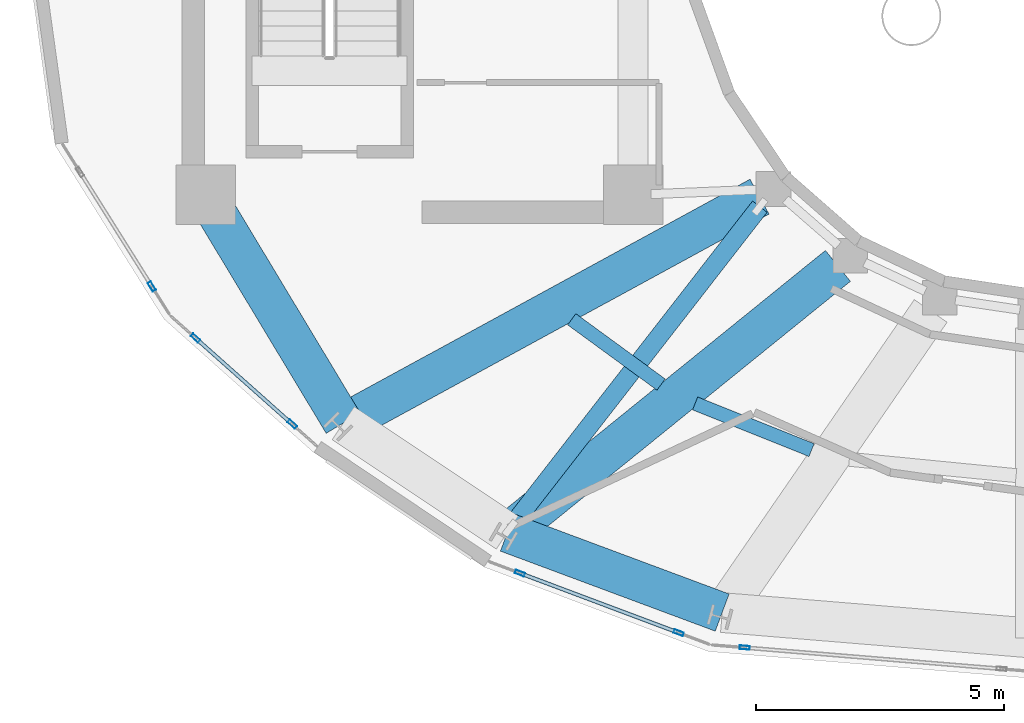
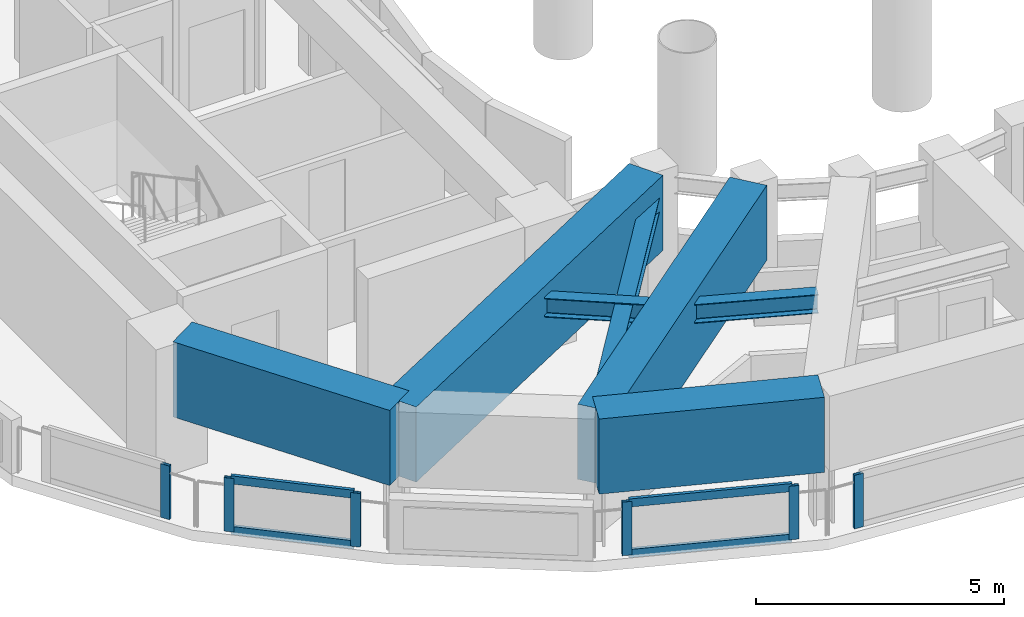
# One storey, part 2 of 17: 11 members, 6 beams, 4 elements without a shape of their own.
"""IFC4 building model written with IfcOpenShell, lengths in metres."""

from ifc_helpers import new_model, si_unit, direction, frame, origin, origin_2d, place, context, subcontext, project, spatial, rectangle, hollow_rectangle, i_section, extrude, material, layer, layer_set, material_profile, profile_set, type_object, element, aggregate, save


model = new_model("IFC4")

# Units and contexts
model_context = context("Model", 3, precision=1e-05, world=origin(), true_north=direction((0.0, 1.0)))
body_context = subcontext(model_context, "Body", "Model", "MODEL_VIEW")
ifc_project = project(units=[si_unit("LENGTHUNIT", "METRE"), si_unit("AREAUNIT", "SQUARE_METRE"), si_unit("VOLUMEUNIT", "CUBIC_METRE"), si_unit("PLANEANGLEUNIT", "RADIAN"), si_unit("MASSUNIT", "GRAM", prefix="KILO")], contexts=[model_context])

# Site, building, storey
site_placement = place(None, origin())
site = spatial("IfcSite", under=ifc_project, at=site_placement, CompositionType="ELEMENT")
building_placement = place(site_placement, origin())
building = spatial("IfcBuilding", under=site, at=building_placement, Name="Solvane Sanctuary Tower", CompositionType="ELEMENT")
storey_placement = place(building_placement, frame((0.0, 0.0, 273.199951171875)))
storey = spatial("IfcBuildingStorey", under=building, at=storey_placement, Name="L83", CompositionType="ELEMENT", Elevation=273.199951171875)

# Beams
ifc_material_1 = material(Name="Steel ASTM A992 Grade 50", Category="steel")
ifc_material_profile_1 = material_profile(ifc_material_1, i_section(OverallWidth=0.280029296875, OverallDepth=0.462890625, WebThickness=0.0107421875, FlangeThickness=0.017333984375, FilletRadius=0.013916015625, at=origin_2d()), Name="W18X76")
ifc_profile_set_1 = profile_set([ifc_material_profile_1], Name="Steel ASTM A992 Grade 50")
beam_type_1 = type_object("IfcBeamType", Name="Beam B-SEC-JOIST W18X76", PredefinedType="JOIST", material=ifc_profile_set_1)
beam_1_placement = place(storey_placement, frame((22.6640625, 14.39697265625, 2.70654296875), z_axis=(0.807449370933, -0.589936872368, 0.0), x_axis=(0.589936872368, 0.807449370933, 0.0)))
element("IfcBeam", 1, at=beam_1_placement, inside=storey, type_object=beam_type_1, Name="L83 Secondary Circumferential Joist 08-09", PredefinedType="JOIST", context=body_context, shape_type="SweptSolid", body=[
    extrude(i_section(OverallWidth=0.280029296875, OverallDepth=0.462890625, WebThickness=0.0107421875, FlangeThickness=0.017333984375, FilletRadius=0.013916015625, at=origin_2d()), origin(), (0.0, 0.0, 1.0), 2.226806640625),
])
beam_2_placement = place(storey_placement, frame((25.147705078125, 12.703369140625, 2.70654296875), z_axis=(0.928229732521, -0.372007477967, 0.0), x_axis=(0.372007477967, 0.928229732521, 0.0)))
element("IfcBeam", 2, at=beam_2_placement, inside=storey, type_object=beam_type_1, Name="L83 Secondary Circumferential Joist 09-10", PredefinedType="JOIST", context=body_context, shape_type="SweptSolid", body=[
    extrude(i_section(OverallWidth=0.280029296875, OverallDepth=0.462890625, WebThickness=0.0107421875, FlangeThickness=0.017333984375, FilletRadius=0.013916015625, at=origin_2d()), origin(), (0.0, 0.0, 1.0), 2.524658203125),
])
ifc_material_2 = material(Name="Concrete C70/85", Category="concrete")
ifc_material_profile_2 = material_profile(ifc_material_2, rectangle(XDim=0.800048828125, YDim=1.85009765625, at=origin_2d()), Name="RC800X1850")
ifc_profile_set_2 = profile_set([ifc_material_profile_2], Name="Concrete C70/85")
beam_type_2 = type_object("IfcBeamType", Name="Beam B-XFER-BLK RC800X1850", PredefinedType="BEAM", material=ifc_profile_set_2)
beam_3_placement = place(storey_placement, frame((26.444091796875, 16.86474609375, 2.275146484375), z_axis=(-0.877978542426, -0.478699988551, 0.0), x_axis=(0.478699988551, -0.877978542426, 0.0)))
element("IfcBeam", 3, at=beam_3_placement, inside=storey, type_object=beam_type_2, Name="L83 Block-Shift Radial Transfer Girder 08A", PredefinedType="BEAM", context=body_context, shape_type="SweptSolid", body=[
    extrude(rectangle(XDim=0.800048828125, YDim=1.85009765625, at=origin_2d()), origin(), (0.0, 0.0, 1.0), 9.55712890625),
])
beam_4_placement = place(storey_placement, frame((28.021240234375, 15.47216796875, 2.275146484375), z_axis=(-0.777377081736, -0.629034874067, 0.0), x_axis=(0.629034874067, -0.777377081736, 0.0)))
element("IfcBeam", 4, at=beam_4_placement, inside=storey, type_object=beam_type_2, Name="L83 Block-Shift Radial Transfer Girder 09A", PredefinedType="BEAM", context=body_context, shape_type="SweptSolid", body=[
    extrude(rectangle(XDim=0.800048828125, YDim=1.85009765625, at=origin_2d()), origin(), (0.0, 0.0, 1.0), 8.556396484375),
])
beam_5_placement = place(storey_placement, frame((15.485595703125, 16.591552734375, 2.275146484375), z_axis=(0.515751522887, -0.856738213598, 0.0), x_axis=(0.856738213598, 0.515751522887, 0.0)))
element("IfcBeam", 5, at=beam_5_placement, inside=storey, type_object=beam_type_2, Name="L83 Perimeter Step Transfer Ring CW1-NTC08", PredefinedType="BEAM", context=body_context, shape_type="SweptSolid", body=[
    extrude(rectangle(XDim=0.800048828125, YDim=1.85009765625, at=origin_2d()), origin(), (0.0, 0.0, 1.0), 5.001220703125),
])
beam_6_placement = place(storey_placement, frame((21.367919921875, 10.10498046875, 2.275146484375), z_axis=(0.937079399513, -0.349116311575, 0.0), x_axis=(0.349116311575, 0.937079399513, 0.0)))
element("IfcBeam", 6, at=beam_6_placement, inside=storey, type_object=beam_type_2, Name="L83 Perimeter Step Transfer Ring NTC09-NTC10", PredefinedType="BEAM", context=body_context, shape_type="SweptSolid", body=[
    extrude(rectangle(XDim=0.800048828125, YDim=1.85009765625, at=origin_2d()), origin(), (0.0, 0.0, 1.0), 4.614013671875),
])

# Member
ifc_material_profile_3 = material_profile(ifc_material_1, i_section(OverallWidth=0.368896484375, OverallDepth=0.35595703125, WebThickness=0.01123046875, FlangeThickness=0.01806640625, FilletRadius=0.02490234375, at=origin_2d()), Name="W14X90")
ifc_profile_set_3 = profile_set([ifc_material_profile_3], Name="Steel ASTM A992 Grade 50")
member_type_1 = type_object("IfcMemberType", Name="Member M-CROWN-TIE W14X90", PredefinedType="CHORD", material=ifc_profile_set_3)
member_1_placement = place(storey_placement, frame((26.447021484375, 16.66015625, 2.540771484375), z_axis=(-0.613454062996, -0.789374326697, 0.023712548261), x_axis=(0.789596346981, -0.613626603754, 0.0)))
element("IfcMember", 7, at=member_1_placement, inside=storey, type_object=member_type_1, Name="L83 Crown Bracing Tie 08", PredefinedType="CHORD", context=body_context, shape_type="SweptSolid", body=[
    extrude(i_section(OverallWidth=0.368896484375, OverallDepth=0.35595703125, WebThickness=0.01123046875, FlangeThickness=0.01806640625, FilletRadius=0.02490234375, at=origin_2d()), origin(), (0.0, 0.0, 1.0), 8.185302734375),
])

# Curtain wall, member
ifc_material_3 = material(Name="Anodised Aluminium 6063-T6", Category="aluminium")
ifc_layer = layer(ifc_material_3, 0.219970703125, Name="Anodised Aluminium 6063-T6")
ifc_layer_set = layer_set([ifc_layer], Name="Anodised Aluminium 6063-T6")
curtain_wall_type = type_object("IfcCurtainWallType", Name="Curtain Wall CW-CROWN", PredefinedType="NOTDEFINED", material=ifc_layer_set)
curtain_wall_1_placement = place(storey_placement, origin())
curtain_wall_1 = element("IfcCurtainWall", 8, at=curtain_wall_1_placement, inside=storey, type_object=curtain_wall_type, Name="L83 Crown Fritted Lantern Curtain Wall 13", PredefinedType="NOTDEFINED")
ifc_material_profile_4 = material_profile(ifc_material_3, hollow_rectangle(XDim=0.074951171875, YDim=0.199951171875, WallThickness=0.00390625, at=origin_2d()), Name="ALU200X75X4")
ifc_profile_set_4 = profile_set([ifc_material_profile_4], Name="Anodised Aluminium 6063-T6")
member_type_2 = type_object("IfcMemberType", Name="Member M-CW-MUL-1 ALU200X75X4", PredefinedType="MULLION", material=ifc_profile_set_4)
member_2_placement = place(storey_placement, frame((14.21240234375, 15.059326171875, 0.0), z_axis=(0.0, 0.0, 1.0), x_axis=(0.846857735154, 0.53181949608, 0.0)))
member_2 = element("IfcMember", 9, at=member_2_placement, type_object=member_type_2, Name="CW-CROWN mullion 2", PredefinedType="MULLION", context=body_context, shape_type="SweptSolid", body=[
    extrude(hollow_rectangle(XDim=0.074951171875, YDim=0.199951171875, WallThickness=0.00390625, at=origin_2d()), origin(), (0.0, 0.0, 1.0), 1.320068359375),
])
aggregate(curtain_wall_1, [member_2])

# Curtain wall, members
curtain_wall_2_placement = place(storey_placement, origin())
curtain_wall_2 = element("IfcCurtainWall", 10, at=curtain_wall_2_placement, inside=storey, type_object=curtain_wall_type, Name="L83 Crown Fritted Lantern Curtain Wall 14", PredefinedType="NOTDEFINED")
member_3_placement = place(storey_placement, frame((15.091552734375, 14.019775390625, 0.0), z_axis=(0.0, 0.0, 1.0), x_axis=(0.664886652244, 0.746944268113, 0.0)))
member_3 = element("IfcMember", 11, at=member_3_placement, type_object=member_type_2, Name="CW-CROWN mullion 1", PredefinedType="MULLION", context=body_context, shape_type="SweptSolid", body=[
    extrude(hollow_rectangle(XDim=0.074951171875, YDim=0.199951171875, WallThickness=0.00390625, at=origin_2d()), origin(), (0.0, 0.0, 1.0), 1.320068359375),
])
member_4_placement = place(storey_placement, frame((17.0390625, 12.286376953125, 0.0), z_axis=(0.0, 0.0, 1.0), x_axis=(0.664886652244, 0.746944268113, 0.0)))
member_4 = element("IfcMember", 12, at=member_4_placement, type_object=member_type_2, Name="CW-CROWN mullion 2", PredefinedType="MULLION", context=body_context, shape_type="SweptSolid", body=[
    extrude(hollow_rectangle(XDim=0.074951171875, YDim=0.199951171875, WallThickness=0.00390625, at=origin_2d()), origin(), (0.0, 0.0, 1.0), 1.320068359375),
])

curtain_wall_3_placement = place(storey_placement, origin())
curtain_wall_3 = element("IfcCurtainWall", 13, at=curtain_wall_3_placement, inside=storey, type_object=curtain_wall_type, Name="L83 Crown Fritted Lantern Curtain Wall 16", PredefinedType="NOTDEFINED")
member_5_placement = place(storey_placement, frame((21.62060546875, 9.28759765625, 0.0), z_axis=(0.0, 0.0, 1.0), x_axis=(0.351475292665, 0.936197157999, 0.0)))
member_5 = element("IfcMember", 14, at=member_5_placement, type_object=member_type_2, Name="CW-CROWN mullion 1", PredefinedType="MULLION", context=body_context, shape_type="SweptSolid", body=[
    extrude(hollow_rectangle(XDim=0.074951171875, YDim=0.199951171875, WallThickness=0.00390625, at=origin_2d()), origin(), (0.0, 0.0, 1.0), 1.320068359375),
])
member_6_placement = place(storey_placement, frame((24.81591796875, 8.087890625, 0.0), z_axis=(0.0, 0.0, 1.0), x_axis=(0.351475292665, 0.936197157999, 0.0)))
member_6 = element("IfcMember", 15, at=member_6_placement, type_object=member_type_2, Name="CW-CROWN mullion 2", PredefinedType="MULLION", context=body_context, shape_type="SweptSolid", body=[
    extrude(hollow_rectangle(XDim=0.074951171875, YDim=0.199951171875, WallThickness=0.00390625, at=origin_2d()), origin(), (0.0, 0.0, 1.0), 1.320068359375),
])

# Curtain wall, member
curtain_wall_4_placement = place(storey_placement, origin())
curtain_wall_4 = element("IfcCurtainWall", 16, at=curtain_wall_4_placement, inside=storey, type_object=curtain_wall_type, Name="L83 Crown Fritted Lantern Curtain Wall 17", PredefinedType="NOTDEFINED")
member_7_placement = place(storey_placement, frame((26.144775390625, 7.78955078125, 0.0), z_axis=(0.0, 0.0, 1.0), x_axis=(0.082636617486, 0.996579745655, 0.0)))
member_7 = element("IfcMember", 17, at=member_7_placement, type_object=member_type_2, Name="CW-CROWN mullion 1", PredefinedType="MULLION", context=body_context, shape_type="SweptSolid", body=[
    extrude(hollow_rectangle(XDim=0.074951171875, YDim=0.199951171875, WallThickness=0.00390625, at=origin_2d()), origin(), (0.0, 0.0, 1.0), 1.320068359375),
])
aggregate(curtain_wall_4, [member_7])

# Member
ifc_material_profile_5 = material_profile(ifc_material_3, hollow_rectangle(XDim=0.074951171875, YDim=0.199951171875, WallThickness=0.00390625, at=origin_2d()), Name="ALU200X75X4")
ifc_profile_set_5 = profile_set([ifc_material_profile_5], Name="Anodised Aluminium 6063-T6")
member_type_3 = type_object("IfcMemberType", Name="Member M-CW-TRN-2 ALU200X75X4", PredefinedType="USERDEFINED", material=ifc_profile_set_5)
member_8_placement = place(storey_placement, frame((15.11962890625, 13.994873046875, 0.03759765625), z_axis=(0.746941012919, -0.664890309163, 0.0), x_axis=(0.664890309163, 0.746941012919, 0.0)))
member_8 = element("IfcMember", 18, at=member_8_placement, type_object=member_type_3, Name="CW-CROWN transom 1.1", ObjectType="TRANSOM", PredefinedType="USERDEFINED", context=body_context, shape_type="SweptSolid", body=[
    extrude(hollow_rectangle(XDim=0.074951171875, YDim=0.199951171875, WallThickness=0.00390625, at=origin_2d()), origin(), (0.0, 0.0, 1.0), 2.5322265625),
])

member_9_placement = place(storey_placement, frame((15.11962890625, 13.994873046875, 1.282470703125), z_axis=(0.746941012919, -0.664890309163, 0.0), x_axis=(0.664890309163, 0.746941012919, 0.0)))
member_9 = element("IfcMember", 19, at=member_9_placement, type_object=member_type_3, Name="CW-CROWN transom 1.2", ObjectType="TRANSOM", PredefinedType="USERDEFINED", context=body_context, shape_type="SweptSolid", body=[
    extrude(hollow_rectangle(XDim=0.074951171875, YDim=0.199951171875, WallThickness=0.00390625, at=origin_2d()), origin(), (0.0, 0.0, 1.0), 2.5322265625),
])

aggregate(curtain_wall_2, [member_3, member_4, member_8, member_9])

member_10_placement = place(storey_placement, frame((21.65576171875, 9.2744140625, 0.03759765625), z_axis=(0.936193859501, -0.351484078491, 0.0), x_axis=(0.351484078491, 0.936193859501, 0.0)))
member_10 = element("IfcMember", 20, at=member_10_placement, type_object=member_type_3, Name="CW-CROWN transom 1.1", ObjectType="TRANSOM", PredefinedType="USERDEFINED", context=body_context, shape_type="SweptSolid", body=[
    extrude(hollow_rectangle(XDim=0.074951171875, YDim=0.199951171875, WallThickness=0.00390625, at=origin_2d()), origin(), (0.0, 0.0, 1.0), 3.338134765625),
])

member_11_placement = place(storey_placement, frame((21.65576171875, 9.2744140625, 1.282470703125), z_axis=(0.936193859501, -0.351484078491, 0.0), x_axis=(0.351484078491, 0.936193859501, 0.0)))
member_11 = element("IfcMember", 21, at=member_11_placement, type_object=member_type_3, Name="CW-CROWN transom 1.2", ObjectType="TRANSOM", PredefinedType="USERDEFINED", context=body_context, shape_type="SweptSolid", body=[
    extrude(hollow_rectangle(XDim=0.074951171875, YDim=0.199951171875, WallThickness=0.00390625, at=origin_2d()), origin(), (0.0, 0.0, 1.0), 3.338134765625),
])

aggregate(curtain_wall_3, [member_5, member_6, member_10, member_11])

save(model, "model.ifc")
